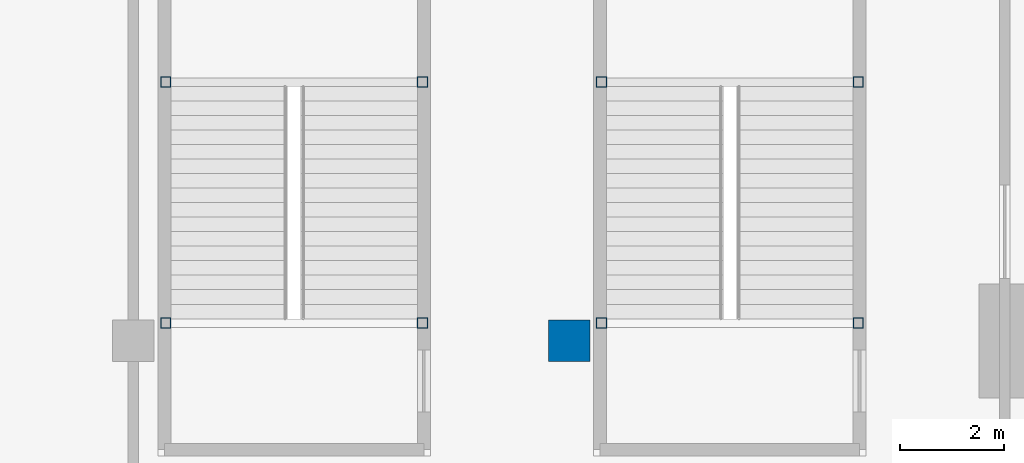
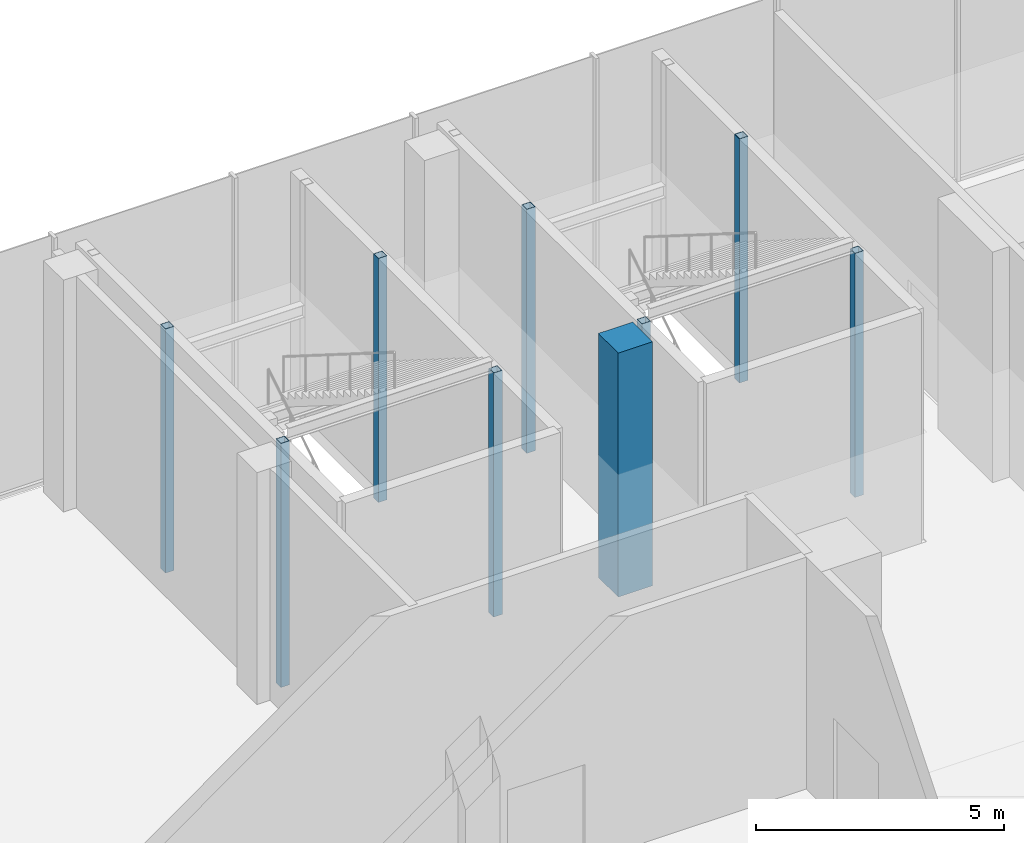
# One storey, part 6 of 32: 9 columns.
"""IFC4 building model written with IfcOpenShell, lengths in metres."""

from ifc_helpers import new_model, si_unit, direction, frame, origin, origin_2d, place, context, subcontext, project, spatial, rectangle, hollow_rectangle, extrude, material, material_profile, profile_set, type_object, element, save


model = new_model("IFC4")

# Units and contexts
model_context = context("Model", 3, precision=1e-05, world=origin(), true_north=direction((0.0, 1.0)))
body_context = subcontext(model_context, "Body", "Model", "MODEL_VIEW")
ifc_project = project(units=[si_unit("LENGTHUNIT", "METRE"), si_unit("AREAUNIT", "SQUARE_METRE"), si_unit("VOLUMEUNIT", "CUBIC_METRE"), si_unit("PLANEANGLEUNIT", "RADIAN"), si_unit("MASSUNIT", "GRAM", prefix="KILO")], contexts=[model_context])

# Site, building, storey
site_placement = place(None, origin())
site = spatial("IfcSite", under=ifc_project, at=site_placement, CompositionType="ELEMENT")
building_placement = place(site_placement, origin())
building = spatial("IfcBuilding", under=site, at=building_placement, Name="Dunama Terrace Hotel", CompositionType="ELEMENT")
storey_placement = place(building_placement, frame((0.0, 0.0, 6.0)))
storey = spatial("IfcBuildingStorey", under=building, at=storey_placement, Name="L01", CompositionType="ELEMENT", Elevation=6.0)

# Columns
ifc_material_1 = material(Name="Concrete C40/50", Category="concrete")
ifc_material_profile_1 = material_profile(ifc_material_1, rectangle(XDim=0.800048828125, YDim=0.800048828125, at=origin_2d()), Name="RC 800x800")
ifc_profile_set_1 = profile_set([ifc_material_profile_1], Name="Concrete C40/50")
column_type_1 = type_object("IfcColumnType", Name="Column RC 800x800", PredefinedType="COLUMN", material=ifc_profile_set_1)
column_placement = place(storey_placement, frame((-8.39990234375, 50.39990234375, -0.300048828125), z_axis=(0.0, 0.0, 1.0), x_axis=(1.0, 0.0, 0.0)))
element("IfcColumn", 1, at=column_placement, inside=storey, type_object=column_type_1, Name="Column L01 -8.4/+50.4", PredefinedType="COLUMN", context=body_context, shape_type="SweptSolid", body=[
    extrude(rectangle(XDim=0.800048828125, YDim=0.800048828125, at=origin_2d()), origin(), (0.0, 0.0, 1.0), 6.0),
])
ifc_material_2 = material(Name="Steel S355", Category="steel")
ifc_material_profile_2 = material_profile(ifc_material_2, hollow_rectangle(XDim=0.199951171875, YDim=0.199951171875, WallThickness=0.010009765625, at=origin_2d()), Name="SHS 200x200x10")
ifc_profile_set_2 = profile_set([ifc_material_profile_2], Name="Steel S355")
column_type_2 = type_object("IfcColumnType", Name="Stair post SHS 200x200x10", PredefinedType="COLUMN", material=ifc_profile_set_2)
for number, where, z_axis, x_axis, name in (
    (2, (-16.175048828125, 50.742431640625, -0.300048828125), (0.0, 0.0, 1.0), (1.0, 0.0, 0.0), "Stair post P1 L01 -16.18/+50.74"),
    (3, (-11.22509765625, 50.742431640625, -0.300048828125), (0.0, 0.0, 1.0), (1.0, 0.0, 0.0), "Stair post P1 L01 -11.22/+50.74"),
    (4, (-16.175048828125, 55.387451171875, -0.300048828125), (0.0, 0.0, 1.0), (1.0, 0.0, 0.0), "Stair post P1 L01 -16.18/+55.39"),
    (5, (-11.22509765625, 55.387451171875, -0.300048828125), (0.0, 0.0, 1.0), (1.0, 0.0, 0.0), "Stair post P1 L01 -11.22/+55.39"),
    (6, (-7.77490234375, 50.742431640625, -0.300048828125), (0.0, 0.0, 1.0), (1.0, 0.0, 0.0), "Stair post P3 L01 -7.78/+50.74"),
    (7, (-2.824951171875, 50.742431640625, -0.300048828125), (0.0, 0.0, 1.0), (1.0, 0.0, 0.0), "Stair post P3 L01 -2.83/+50.74"),
    (8, (-7.77490234375, 55.387451171875, -0.300048828125), (0.0, 0.0, 1.0), (1.0, 0.0, 0.0), "Stair post P3 L01 -7.78/+55.39"),
    (9, (-2.824951171875, 55.387451171875, -0.300048828125), (0.0, 0.0, 1.0), (1.0, 0.0, 0.0), "Stair post P3 L01 -2.83/+55.39"),
):
    element("IfcColumn", number, at=place(storey_placement, frame(where, z_axis=z_axis, x_axis=x_axis)), inside=storey, type_object=column_type_2, Name=name, PredefinedType="COLUMN", context=body_context, shape_type="SweptSolid", body=[
        extrude(hollow_rectangle(XDim=0.199951171875, YDim=0.199951171875, WallThickness=0.010009765625, at=origin_2d()), origin(), (0.0, 0.0, 1.0), 6.0),
    ])

save(model, "model.ifc")
